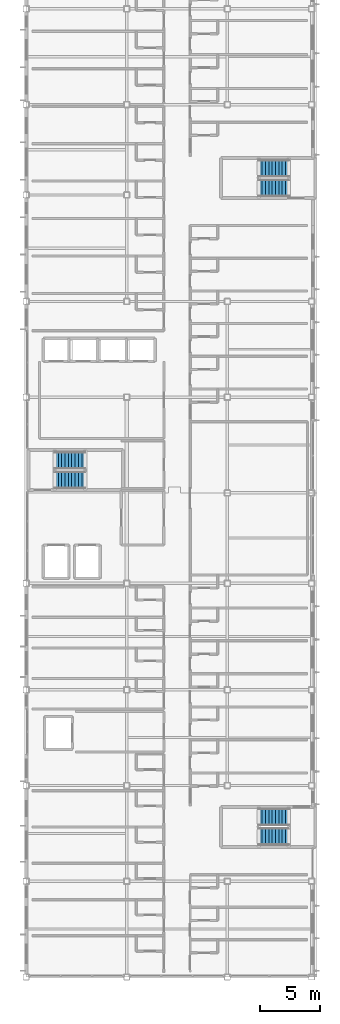
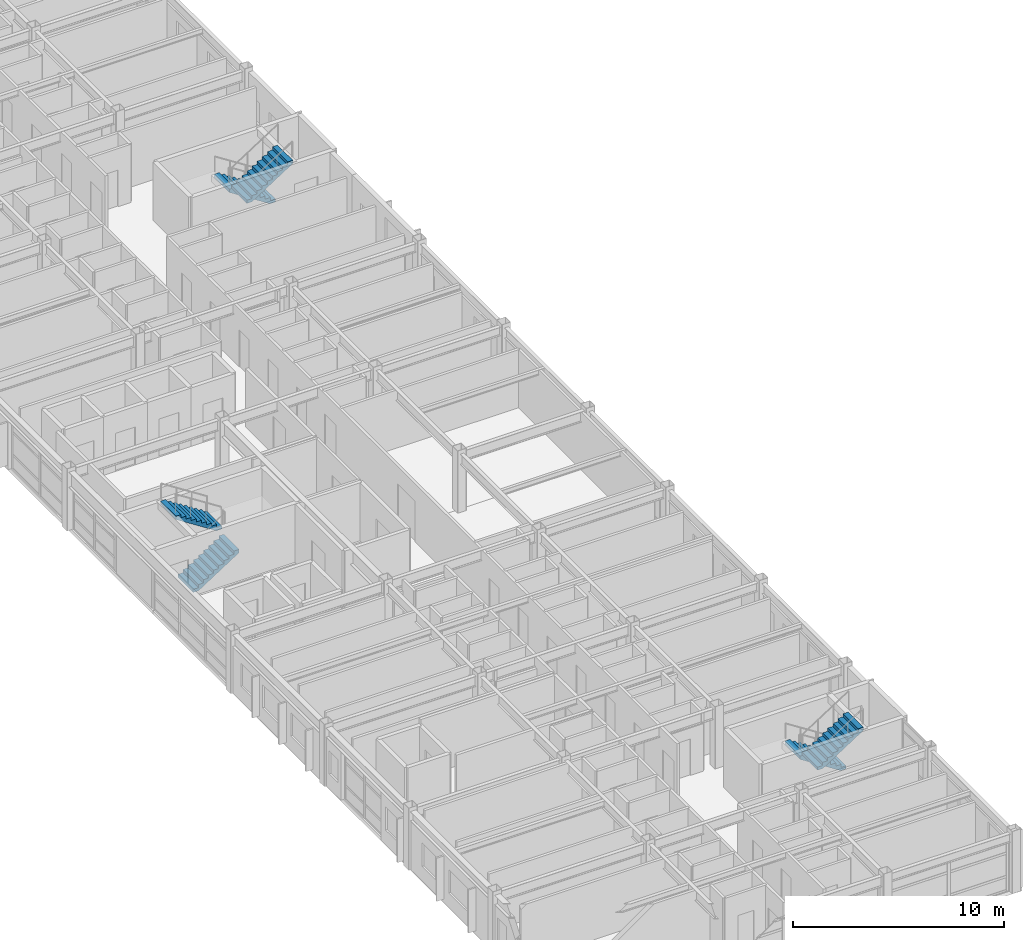
# One storey, part 32 of 35: 6 stair flights, 3 elements without a shape of their own.
"""IFC4 building model written with IfcOpenShell, lengths in metres."""

from ifc_helpers import new_model, si_unit, direction, frame, origin, place, context, subcontext, project, spatial, polyline, outline, extrude, material, type_object, element, aggregate, save


model = new_model("IFC4")

# Units and contexts
model_context = context("Model", 3, precision=1e-05, world=origin(), true_north=direction((0.0, 1.0)))
body_context = subcontext(model_context, "Body", "Model", "MODEL_VIEW")
ifc_project = project(units=[si_unit("LENGTHUNIT", "METRE"), si_unit("AREAUNIT", "SQUARE_METRE"), si_unit("VOLUMEUNIT", "CUBIC_METRE"), si_unit("PLANEANGLEUNIT", "RADIAN"), si_unit("MASSUNIT", "GRAM", prefix="KILO")], contexts=[model_context])

# Site, building, storey
site_placement = place(None, origin())
site = spatial("IfcSite", under=ifc_project, at=site_placement, CompositionType="ELEMENT")
building_placement = place(site_placement, origin())
building = spatial("IfcBuilding", under=site, at=building_placement, Name="Kazehara Bluff Congress Hotel", CompositionType="ELEMENT")
storey_placement = place(building_placement, frame((0.0, 0.0, 35.39990234375)))
storey = spatial("IfcBuildingStorey", under=building, at=storey_placement, Name="L08", CompositionType="ELEMENT", Elevation=35.39990234375)

# Stair, stair flights
ifc_material_1 = material(Name="Concrete C36/45", Category="concrete")
stair_type = type_object("IfcStairType", Name="TP-ST-T03", PredefinedType="HALF_TURN_STAIR", material=ifc_material_1)
stair_1_placement = place(storey_placement, origin())
stair_1 = element("IfcStair", 1, at=stair_1_placement, inside=storey, type_object=stair_type, Name="L08 Escape stair ST-10", PredefinedType="HALF_TURN_STAIR")
ifc_material_2 = material(Name="Concrete C36/45", Category="concrete")
stair_flight_type = type_object("IfcStairFlightType", Name="TP-SF-T03", PredefinedType="STRAIGHT", material=ifc_material_2)
stair_flight_1_placement = place(storey_placement, frame((165.64990234375, 21.375, 0.0), z_axis=(0.0, 0.0, 1.0), x_axis=(-1.0, 0.0, 0.0)))
stair_flight_1 = element("IfcStairFlight", 2, at=stair_flight_1_placement, type_object=stair_flight_type, Name="ST-10 flight 1", NumberOfRisers=10, NumberOfTreads=9, PredefinedType="STRAIGHT", RiserHeight=0.18, TreadLength=0.28, context=body_context, shape_type="SweptSolid", body=[
    extrude(outline(polyline([(0.0, 0.0), (0.0, 0.179931640625), (0.280029296875, 0.179931640625), (0.280029296875, 0.360107421875), (0.56005859375, 0.360107421875), (0.56005859375, 0.5400390625), (0.840087890625, 0.5400390625), (0.840087890625, 0.719970703125), (1.1201171875, 0.719970703125), (1.1201171875, 0.89990234375), (1.39990234375, 0.89990234375), (1.39990234375, 1.080078125), (1.679931640625, 1.080078125), (1.679931640625, 1.260009765625), (1.9599609375, 1.260009765625), (1.9599609375, 1.43994140625), (2.239990234375, 1.43994140625), (2.239990234375, 1.6201171875), (2.52001953125, 1.6201171875), (2.52001953125, 1.800048828125), (2.52001953125, 1.429931640625), (0.295654296875, 0.0), (0.0, 0.0)])), frame((0.0, 0.72509765625, 0.0), z_axis=(0.0, -1.0, 0.0), x_axis=(1.0, 0.0, 0.0)), (0.0, 0.0, 1.0), 1.449951171875),
])
stair_flight_2_placement = place(storey_placement, frame((163.1298828125, 19.72509765625, 1.800048828125), z_axis=(0.0, 0.0, 1.0), x_axis=(1.0, 0.0, 0.0)))
stair_flight_2 = element("IfcStairFlight", 3, at=stair_flight_2_placement, type_object=stair_flight_type, Name="ST-10 flight 2", NumberOfRisers=10, NumberOfTreads=9, PredefinedType="STRAIGHT", RiserHeight=0.18, TreadLength=0.28, context=body_context, shape_type="SweptSolid", body=[
    extrude(outline(polyline([(0.0, 0.0), (0.0, 0.179931640625), (0.280029296875, 0.179931640625), (0.280029296875, 0.360107421875), (0.56005859375, 0.360107421875), (0.56005859375, 0.5400390625), (0.840087890625, 0.5400390625), (0.840087890625, 0.719970703125), (1.1201171875, 0.719970703125), (1.1201171875, 0.89990234375), (1.39990234375, 0.89990234375), (1.39990234375, 1.080078125), (1.679931640625, 1.080078125), (1.679931640625, 1.260009765625), (1.9599609375, 1.260009765625), (1.9599609375, 1.43994140625), (2.239990234375, 1.43994140625), (2.239990234375, 1.6201171875), (2.52001953125, 1.6201171875), (2.52001953125, 1.800048828125), (2.52001953125, 1.429931640625), (0.295654296875, 0.0), (0.0, 0.0)])), frame((0.0, 0.72509765625, 0.0), z_axis=(0.0, -1.0, 0.0), x_axis=(1.0, 0.0, 0.0)), (0.0, 0.0, 1.0), 1.449951171875),
])
aggregate(stair_1, [stair_flight_1, stair_flight_2])

stair_2_placement = place(storey_placement, origin())
stair_2 = element("IfcStair", 4, at=stair_2_placement, inside=storey, type_object=stair_type, Name="L08 Escape stair ST-11", PredefinedType="HALF_TURN_STAIR")
stair_flight_3_placement = place(storey_placement, frame((146.10009765625, 49.52490234375, 0.0), z_axis=(0.0, 0.0, 1.0), x_axis=(1.0, 0.0, 0.0)))
stair_flight_3 = element("IfcStairFlight", 5, at=stair_flight_3_placement, type_object=stair_flight_type, Name="ST-11 flight 1", NumberOfRisers=10, NumberOfTreads=9, PredefinedType="STRAIGHT", RiserHeight=0.18, TreadLength=0.28, context=body_context, shape_type="SweptSolid", body=[
    extrude(outline(polyline([(0.0, 0.0), (0.0, 0.179931640625), (0.280029296875, 0.179931640625), (0.280029296875, 0.360107421875), (0.56005859375, 0.360107421875), (0.56005859375, 0.5400390625), (0.840087890625, 0.5400390625), (0.840087890625, 0.719970703125), (1.1201171875, 0.719970703125), (1.1201171875, 0.89990234375), (1.39990234375, 0.89990234375), (1.39990234375, 1.080078125), (1.679931640625, 1.080078125), (1.679931640625, 1.260009765625), (1.9599609375, 1.260009765625), (1.9599609375, 1.43994140625), (2.239990234375, 1.43994140625), (2.239990234375, 1.6201171875), (2.52001953125, 1.6201171875), (2.52001953125, 1.800048828125), (2.52001953125, 1.429931640625), (0.295654296875, 0.0), (0.0, 0.0)])), frame((0.0, 0.72509765625, 0.0), z_axis=(0.0, -1.0, 0.0), x_axis=(1.0, 0.0, 0.0)), (0.0, 0.0, 1.0), 1.449951171875),
])
stair_flight_4_placement = place(storey_placement, frame((148.6201171875, 51.175048828125, 1.800048828125), z_axis=(0.0, 0.0, 1.0), x_axis=(-1.0, 0.0, 0.0)))
stair_flight_4 = element("IfcStairFlight", 6, at=stair_flight_4_placement, type_object=stair_flight_type, Name="ST-11 flight 2", NumberOfRisers=10, NumberOfTreads=9, PredefinedType="STRAIGHT", RiserHeight=0.18, TreadLength=0.28, context=body_context, shape_type="SweptSolid", body=[
    extrude(outline(polyline([(0.0, 0.0), (0.0, 0.179931640625), (0.280029296875, 0.179931640625), (0.280029296875, 0.360107421875), (0.56005859375, 0.360107421875), (0.56005859375, 0.5400390625), (0.840087890625, 0.5400390625), (0.840087890625, 0.719970703125), (1.1201171875, 0.719970703125), (1.1201171875, 0.89990234375), (1.39990234375, 0.89990234375), (1.39990234375, 1.080078125), (1.679931640625, 1.080078125), (1.679931640625, 1.260009765625), (1.9599609375, 1.260009765625), (1.9599609375, 1.43994140625), (2.239990234375, 1.43994140625), (2.239990234375, 1.6201171875), (2.52001953125, 1.6201171875), (2.52001953125, 1.800048828125), (2.52001953125, 1.429931640625), (0.295654296875, 0.0), (0.0, 0.0)])), frame((0.0, 0.72509765625, 0.0), z_axis=(0.0, -1.0, 0.0), x_axis=(1.0, 0.0, 0.0)), (0.0, 0.0, 1.0), 1.449951171875),
])
aggregate(stair_2, [stair_flight_3, stair_flight_4])

stair_3_placement = place(storey_placement, origin())
stair_3 = element("IfcStair", 7, at=stair_3_placement, inside=storey, type_object=stair_type, Name="L08 Escape stair ST-12", PredefinedType="HALF_TURN_STAIR")
stair_flight_5_placement = place(storey_placement, frame((165.64990234375, 75.574951171875, 0.0), z_axis=(0.0, 0.0, 1.0), x_axis=(-1.0, 0.0, 0.0)))
stair_flight_5 = element("IfcStairFlight", 8, at=stair_flight_5_placement, type_object=stair_flight_type, Name="ST-12 flight 1", NumberOfRisers=10, NumberOfTreads=9, PredefinedType="STRAIGHT", RiserHeight=0.18, TreadLength=0.28, context=body_context, shape_type="SweptSolid", body=[
    extrude(outline(polyline([(0.0, 0.0), (0.0, 0.179931640625), (0.280029296875, 0.179931640625), (0.280029296875, 0.360107421875), (0.56005859375, 0.360107421875), (0.56005859375, 0.5400390625), (0.840087890625, 0.5400390625), (0.840087890625, 0.719970703125), (1.1201171875, 0.719970703125), (1.1201171875, 0.89990234375), (1.39990234375, 0.89990234375), (1.39990234375, 1.080078125), (1.679931640625, 1.080078125), (1.679931640625, 1.260009765625), (1.9599609375, 1.260009765625), (1.9599609375, 1.43994140625), (2.239990234375, 1.43994140625), (2.239990234375, 1.6201171875), (2.52001953125, 1.6201171875), (2.52001953125, 1.800048828125), (2.52001953125, 1.429931640625), (0.295654296875, 0.0), (0.0, 0.0)])), frame((0.0, 0.72509765625, 0.0), z_axis=(0.0, -1.0, 0.0), x_axis=(1.0, 0.0, 0.0)), (0.0, 0.0, 1.0), 1.449951171875),
])
stair_flight_6_placement = place(storey_placement, frame((163.1298828125, 73.925048828125, 1.800048828125), z_axis=(0.0, 0.0, 1.0), x_axis=(1.0, 0.0, 0.0)))
stair_flight_6 = element("IfcStairFlight", 9, at=stair_flight_6_placement, type_object=stair_flight_type, Name="ST-12 flight 2", NumberOfRisers=10, NumberOfTreads=9, PredefinedType="STRAIGHT", RiserHeight=0.18, TreadLength=0.28, context=body_context, shape_type="SweptSolid", body=[
    extrude(outline(polyline([(0.0, 0.0), (0.0, 0.179931640625), (0.280029296875, 0.179931640625), (0.280029296875, 0.360107421875), (0.56005859375, 0.360107421875), (0.56005859375, 0.5400390625), (0.840087890625, 0.5400390625), (0.840087890625, 0.719970703125), (1.1201171875, 0.719970703125), (1.1201171875, 0.89990234375), (1.39990234375, 0.89990234375), (1.39990234375, 1.080078125), (1.679931640625, 1.080078125), (1.679931640625, 1.260009765625), (1.9599609375, 1.260009765625), (1.9599609375, 1.43994140625), (2.239990234375, 1.43994140625), (2.239990234375, 1.6201171875), (2.52001953125, 1.6201171875), (2.52001953125, 1.800048828125), (2.52001953125, 1.429931640625), (0.295654296875, 0.0), (0.0, 0.0)])), frame((0.0, 0.72509765625, 0.0), z_axis=(0.0, -1.0, 0.0), x_axis=(1.0, 0.0, 0.0)), (0.0, 0.0, 1.0), 1.449951171875),
])
aggregate(stair_3, [stair_flight_5, stair_flight_6])

save(model, "model.ifc")
